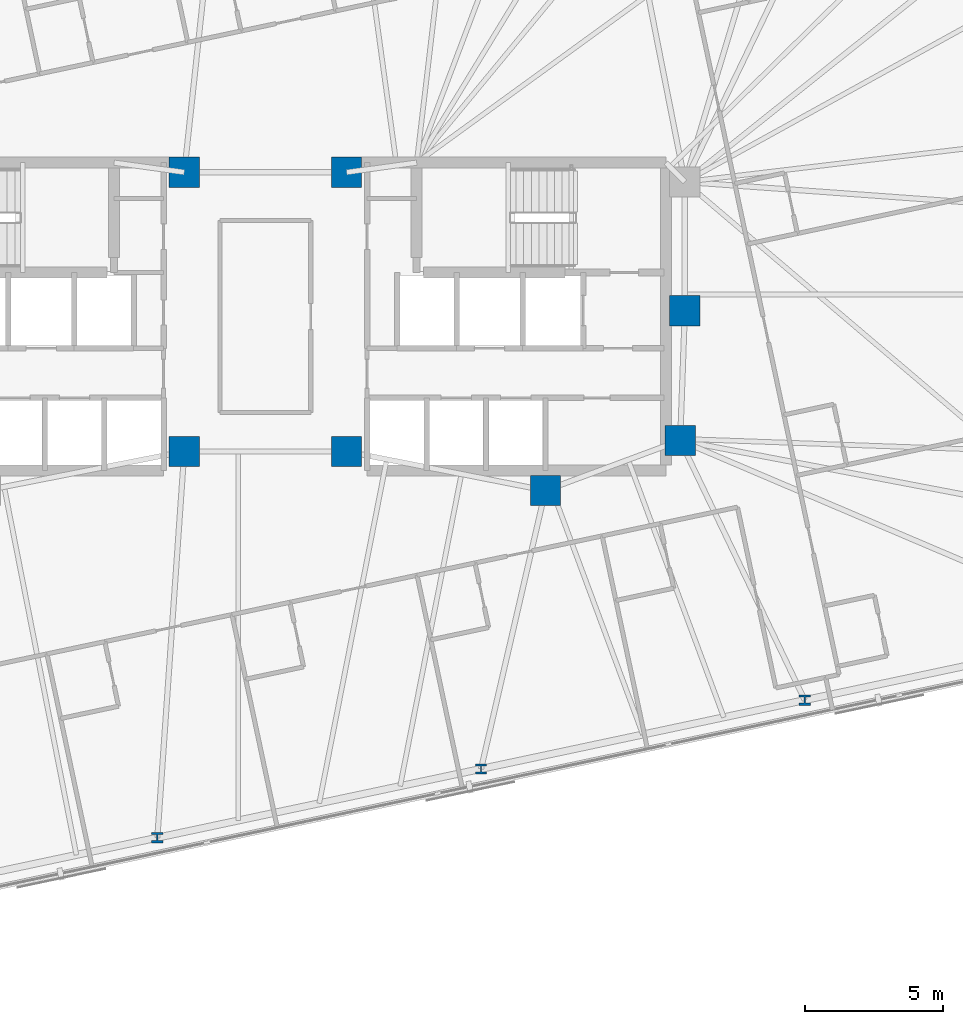
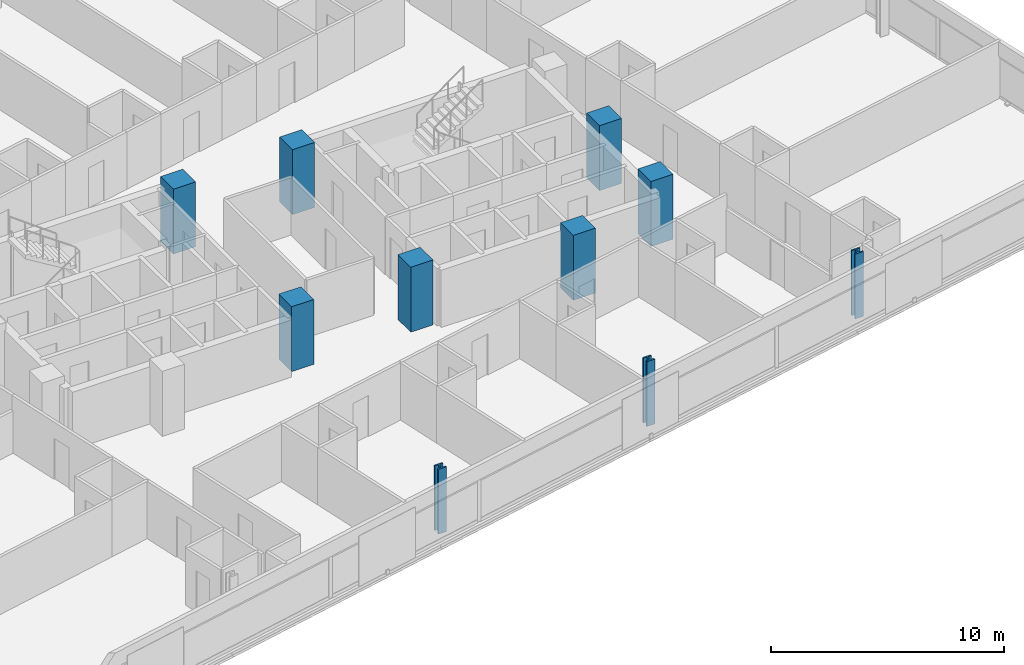
# One storey, part 3 of 20: 10 columns.
"""IFC4 building model written with IfcOpenShell, lengths in metres."""

from ifc_helpers import new_model, si_unit, direction, frame, origin, origin_2d, place, context, subcontext, project, spatial, rectangle, i_section, extrude, material, material_profile, profile_set, type_object, element, save


model = new_model("IFC4")

# Units and contexts
model_context = context("Model", 3, precision=1e-05, world=origin(), true_north=direction((0.0, 1.0)))
body_context = subcontext(model_context, "Body", "Model", "MODEL_VIEW")
ifc_project = project(units=[si_unit("LENGTHUNIT", "METRE"), si_unit("AREAUNIT", "SQUARE_METRE"), si_unit("VOLUMEUNIT", "CUBIC_METRE"), si_unit("PLANEANGLEUNIT", "RADIAN"), si_unit("MASSUNIT", "GRAM", prefix="KILO")], contexts=[model_context])

# Site, building, storey
site_placement = place(None, origin())
site = spatial("IfcSite", under=ifc_project, at=site_placement, CompositionType="ELEMENT")
building_placement = place(site_placement, origin())
building = spatial("IfcBuilding", under=site, at=building_placement, Name="Menara Jurai Vektor", CompositionType="ELEMENT")
storey_placement = place(building_placement, frame((0.0, 0.0, 199.0)))
storey = spatial("IfcBuildingStorey", under=building, at=storey_placement, Name="L52", CompositionType="ELEMENT", Elevation=199.0)

# Columns
ifc_material_1 = material(Name="Concrete C50/60", Category="concrete")
ifc_material_profile_1 = material_profile(ifc_material_1, rectangle(XDim=1.10009765625, YDim=1.10009765625, at=origin_2d()), Name="RC 1100x1100")
ifc_profile_set_1 = profile_set([ifc_material_profile_1], Name="Concrete C50/60")
column_type_1 = type_object("IfcColumnType", Name="STR-COL-RC1100", PredefinedType="COLUMN", material=ifc_profile_set_1)
for number, where, z_axis, x_axis, name in (
    (1, (-2.949951171875, -4.89990234375, 0.0), (0.0, 0.0, 1.0), (1.0, 0.0, 0.0), "Core Spine Column CW-SE L52"),
    (2, (-2.949951171875, 5.25, 0.0), (0.0, 0.0, 1.0), (1.0, 0.0, 0.0), "Core Spine Column CW-NE L52"),
    (3, (15.25, 0.219970703125, 0.0), (0.0, 0.0, 1.0), (1.0, 0.0, 0.0), "Core Spine Column CE-EM L52"),
    (4, (15.080078125, -4.5, 0.0), (0.0, 0.0, 1.0), (1.0, 0.0, 0.0), "Core Spine Column CE-SE L52"),
    (5, (10.179931640625, -6.320068359375, 0.0), (0.0, 0.0, 1.0), (1.0, 0.0, 0.0), "Core Spine Column CE-SM L52"),
    (6, (2.949951171875, -4.89990234375, 0.0), (0.0, 0.0, 1.0), (1.0, 0.0, 0.0), "Core Spine Column CE-SW L52"),
    (7, (2.949951171875, 5.25, 0.0), (0.0, 0.0, 1.0), (1.0, 0.0, 0.0), "Core Spine Column CE-NW L52"),
):
    element("IfcColumn", number, at=place(storey_placement, frame(where, z_axis=z_axis, x_axis=x_axis)), inside=storey, type_object=column_type_1, Name=name, PredefinedType="COLUMN", context=body_context, shape_type="SweptSolid", body=[
        extrude(rectangle(XDim=1.10009765625, YDim=1.10009765625, at=origin_2d()), origin(), (0.0, 0.0, 1.0), 3.39990234375),
    ])
ifc_material_2 = material(Name="Steel S460", Category="steel")
ifc_material_profile_2 = material_profile(ifc_material_2, i_section(OverallWidth=0.408935546875, OverallDepth=0.3740234375, WebThickness=0.048095703125, FlangeThickness=0.076904296875, FilletRadius=0.014892578125, at=origin_2d()), Name="HD 400x634")
ifc_profile_set_2 = profile_set([ifc_material_profile_2], Name="Steel S460")
column_type_2 = type_object("IfcColumnType", Name="STR-EXO-BLK3", PredefinedType="COLUMN", material=ifc_profile_set_2)
for number, where, z_axis, x_axis, name in (
    (8, (-3.928466796875, -18.94287109375, 0.0), (0.0, 0.0, 1.0), (1.0, 0.0, 0.0), "Exoskeleton Column BLK3-S3 L52"),
    (9, (7.83984375, -16.44140625, 0.0), (0.0, 0.0, 1.0), (1.0, 0.0, 0.0), "Exoskeleton Column BLK3-S4 L52"),
    (10, (19.608154296875, -13.940185546875, 0.0), (0.0, 0.0, 1.0), (1.0, 0.0, 0.0), "Exoskeleton Column BLK3-S5 L52"),
):
    element("IfcColumn", number, at=place(storey_placement, frame(where, z_axis=z_axis, x_axis=x_axis)), inside=storey, type_object=column_type_2, Name=name, PredefinedType="COLUMN", context=body_context, shape_type="SweptSolid", body=[
        extrude(i_section(OverallWidth=0.408935546875, OverallDepth=0.3740234375, WebThickness=0.048095703125, FlangeThickness=0.076904296875, FilletRadius=0.014892578125, at=origin_2d()), origin(), (0.0, 0.0, 1.0), 3.39990234375),
    ])

save(model, "model.ifc")
